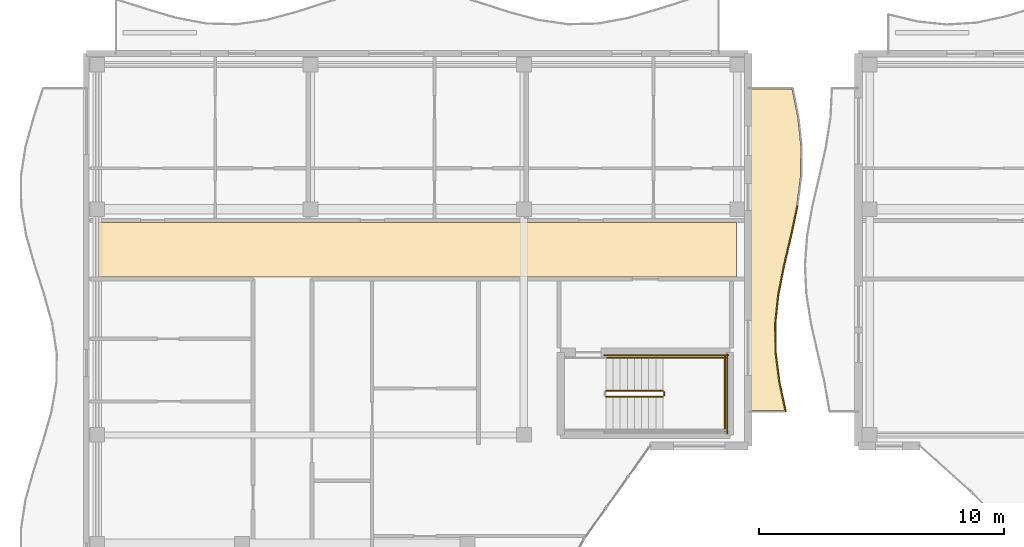
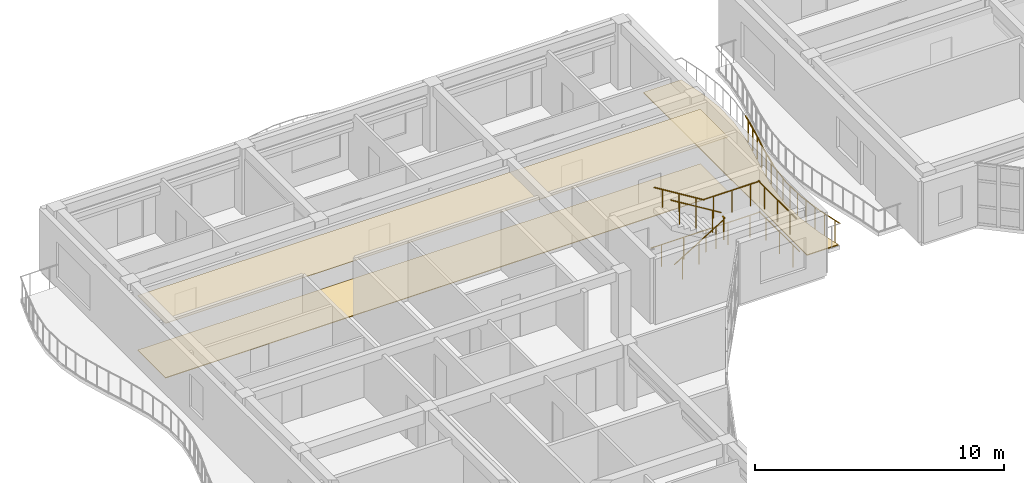
# One storey, part 55 of 72: 15 railings, 3 coverings.
"""IFC4 building model written with IfcOpenShell, lengths in metres."""

from ifc_helpers import new_model, si_unit, direction, frame, origin, origin_2d, place, context, subcontext, project, spatial, polyline, circle, outline, extrude, material, layer, layer_set, type_object, element, save


model = new_model("IFC4")

# Units and contexts
model_context = context("Model", 3, precision=1e-05, world=origin(), true_north=direction((0.0, 1.0)))
body_context = subcontext(model_context, "Body", "Model", "MODEL_VIEW")
ifc_project = project(units=[si_unit("LENGTHUNIT", "METRE"), si_unit("AREAUNIT", "SQUARE_METRE"), si_unit("VOLUMEUNIT", "CUBIC_METRE"), si_unit("PLANEANGLEUNIT", "RADIAN"), si_unit("MASSUNIT", "GRAM", prefix="KILO")], contexts=[model_context])

# Site, building, storey
site_placement = place(None, origin())
site = spatial("IfcSite", under=ifc_project, at=site_placement, CompositionType="ELEMENT")
building_placement = place(site_placement, origin())
building = spatial("IfcBuilding", under=site, at=building_placement, Name="Keldmere Railside Commons", CompositionType="ELEMENT")
storey_placement = place(building_placement, frame((0.0, 0.0, 16.9599609375)))
storey = spatial("IfcBuildingStorey", under=building, at=storey_placement, Name="L05", CompositionType="ELEMENT", Elevation=16.9599609375)

# Railings
ifc_material_1 = material(Name="Steel F-24 (S235)", Category="steel")
railing_type_1 = type_object("IfcRailingType", Name="Balcony & Terrace Steel Balustrade 1100", PredefinedType="BALUSTRADE", material=ifc_material_1)
railing_1_placement = place(storey_placement, frame((36.5361328125, 101.39990234375, 0.0)))
element("IfcRailing", 1, at=railing_1_placement, inside=storey, type_object=railing_type_1, Name="GR-1 GRD-L05-0597", PredefinedType="BALUSTRADE", context=body_context, shape_type="SweptSolid", body=[
    extrude(circle(Radius=0.02392578125, at=origin_2d()), frame((0.0, 0.0, 1.076171875), z_axis=(-0.206782744786, 0.978386884856, 0.0), x_axis=(-0.978386884856, -0.206782744786, 0.0)), (0.0, 0.0, 1.0), 1.226806640625),
    extrude(circle(Radius=0.02099609375, at=origin_2d()), frame((-0.0634765625, 0.300048828125, 0.0)), (0.0, 0.0, 1.0), 1.048095703125),
    extrude(circle(Radius=0.02099609375, at=origin_2d()), frame((-0.190185546875, 0.900146484375, 0.0)), (0.0, 0.0, 1.0), 1.048095703125),
])
railing_2_placement = place(storey_placement, frame((36.282470703125, 102.60009765625, 0.0)))
element("IfcRailing", 2, at=railing_2_placement, inside=storey, type_object=railing_type_1, Name="GR-1 GRD-L05-0598", PredefinedType="BALUSTRADE", context=body_context, shape_type="SweptSolid", body=[
    extrude(circle(Radius=0.02392578125, at=origin_2d()), frame((0.0, 0.0, 1.076171875), z_axis=(-0.128329859482, 0.991731539866, 0.0), x_axis=(-0.991731539866, -0.128329859482, 0.0)), (0.0, 0.0, 1.0), 1.2099609375),
    extrude(circle(Radius=0.02099609375, at=origin_2d()), frame((-0.038818359375, 0.300048828125, 0.0)), (0.0, 0.0, 1.0), 1.048095703125),
    extrude(circle(Radius=0.02099609375, at=origin_2d()), frame((-0.116455078125, 0.89990234375, 0.0)), (0.0, 0.0, 1.0), 1.048095703125),
])
railing_3_placement = place(storey_placement, frame((36.127197265625, 103.800048828125, 0.0)))
element("IfcRailing", 3, at=railing_3_placement, inside=storey, type_object=railing_type_1, Name="GR-1 GRD-L05-0599", PredefinedType="BALUSTRADE", context=body_context, shape_type="SweptSolid", body=[
    extrude(circle(Radius=0.02392578125, at=origin_2d()), frame((0.0, 0.0, 1.076171875), z_axis=(-0.012816851522, 0.999917860785, 0.0), x_axis=(-0.999917860785, -0.012816851522, 0.0)), (0.0, 0.0, 1.0), 1.199951171875),
    extrude(circle(Radius=0.02099609375, at=origin_2d()), frame((-0.00390625, 0.300048828125, 0.0)), (0.0, 0.0, 1.0), 1.048095703125),
    extrude(circle(Radius=0.02099609375, at=origin_2d()), frame((-0.011474609375, 0.89990234375, 0.0)), (0.0, 0.0, 1.0), 1.048095703125),
])
railing_4_placement = place(storey_placement, frame((36.11181640625, 105.0, 0.0)))
element("IfcRailing", 4, at=railing_4_placement, inside=storey, type_object=railing_type_1, Name="GR-1 GRD-L05-0600", PredefinedType="BALUSTRADE", context=body_context, shape_type="SweptSolid", body=[
    extrude(circle(Radius=0.02392578125, at=origin_2d()), frame((0.0, 0.0, 1.076171875), z_axis=(0.107011669885, 0.994257764621, 0.0), x_axis=(-0.994257764621, 0.107011669885, 0.0)), (0.0, 0.0, 1.0), 1.206787109375),
    extrude(circle(Radius=0.02099609375, at=origin_2d()), frame((0.0322265625, 0.300048828125, 0.0)), (0.0, 0.0, 1.0), 1.048095703125),
    extrude(circle(Radius=0.02099609375, at=origin_2d()), frame((0.096923828125, 0.89990234375, 0.0)), (0.0, 0.0, 1.0), 1.048095703125),
])
railing_5_placement = place(storey_placement, frame((36.240966796875, 106.199951171875, 0.0)))
element("IfcRailing", 5, at=railing_5_placement, inside=storey, type_object=railing_type_1, Name="GR-1 GRD-L05-0601", PredefinedType="BALUSTRADE", context=body_context, shape_type="SweptSolid", body=[
    extrude(circle(Radius=0.02392578125, at=origin_2d()), frame((0.0, 0.0, 1.076171875), z_axis=(0.19496472414, 0.980810255014, 0.0), x_axis=(-0.980810255014, 0.19496472414, 0.0)), (0.0, 0.0, 1.0), 1.223388671875),
    extrude(circle(Radius=0.02099609375, at=origin_2d()), frame((0.0595703125, 0.300048828125, 0.0)), (0.0, 0.0, 1.0), 1.048095703125),
    extrude(circle(Radius=0.02099609375, at=origin_2d()), frame((0.178955078125, 0.89990234375, 0.0)), (0.0, 0.0, 1.0), 1.048095703125),
])
railing_6_placement = place(storey_placement, frame((36.4794921875, 107.39990234375, 0.0)))
element("IfcRailing", 6, at=railing_6_placement, inside=storey, type_object=railing_type_1, Name="GR-1 GRD-L05-0602", PredefinedType="BALUSTRADE", context=body_context, shape_type="SweptSolid", body=[
    extrude(circle(Radius=0.02392578125, at=origin_2d()), frame((0.0, 0.0, 1.076171875), z_axis=(0.23059461799, 0.97304990733, 0.0), x_axis=(-0.97304990733, 0.23059461799, 0.0)), (0.0, 0.0, 1.0), 1.2333984375),
    extrude(circle(Radius=0.02099609375, at=origin_2d()), frame((0.071044921875, 0.300048828125, 0.0)), (0.0, 0.0, 1.0), 1.048095703125),
    extrude(circle(Radius=0.02099609375, at=origin_2d()), frame((0.21337890625, 0.900146484375, 0.0)), (0.0, 0.0, 1.0), 1.048095703125),
])
railing_7_placement = place(storey_placement, frame((36.763916015625, 108.60009765625, 0.0)))
element("IfcRailing", 7, at=railing_7_placement, inside=storey, type_object=railing_type_1, Name="GR-1 GRD-L05-0603", PredefinedType="BALUSTRADE", context=body_context, shape_type="SweptSolid", body=[
    extrude(circle(Radius=0.02392578125, at=origin_2d()), frame((0.0, 0.0, 1.076171875), z_axis=(0.206823017078, 0.978378372414, 0.0), x_axis=(-0.978378372414, 0.206823017078, 0.0)), (0.0, 0.0, 1.0), 1.2265625),
    extrude(circle(Radius=0.02099609375, at=origin_2d()), frame((0.0634765625, 0.300048828125, 0.0)), (0.0, 0.0, 1.0), 1.048095703125),
    extrude(circle(Radius=0.02099609375, at=origin_2d()), frame((0.190185546875, 0.89990234375, 0.0)), (0.0, 0.0, 1.0), 1.048095703125),
])

# Covering
ifc_material_2 = material(Name="Polished Terrazzo Tile Flooring", Category="concrete")
ifc_layer_1 = layer(ifc_material_2, 0.030029296875, Name="Polished Terrazzo Floor Finish 30")
ifc_layer_set_1 = layer_set([ifc_layer_1], Name="Polished Terrazzo Tile Flooring")
covering_type_1 = type_object("IfcCoveringType", Name="Polished Terrazzo Floor Finish 30", PredefinedType="FLOORING", material=ifc_layer_set_1)
covering_1_placement = place(storey_placement, origin())
element("IfcCovering", 8, at=covering_1_placement, inside=storey, type_object=covering_type_1, Name="FLR-1 Corridor Terrazzo D-L05", PredefinedType="FLOORING", context=body_context, shape_type="SweptSolid", body=[
    extrude(outline(polyline([(8.47998046875, 106.8798828125), (34.52001953125, 106.8798828125), (34.52001953125, 109.1201171875), (8.47998046875, 109.1201171875), (8.47998046875, 106.8798828125)])), origin(), (0.0, 0.0, 1.0), 0.030029296875),
])

# Railings
railing_type_2 = type_object("IfcRailingType", Name="Stair Well Steel Guardrail 1100", PredefinedType="BALUSTRADE", material=ifc_material_1)
railing_8_placement = place(storey_placement, frame((29.199951171875, 102.0, 0.177734375)))
element("IfcRailing", 9, at=railing_8_placement, inside=storey, type_object=railing_type_2, Name="L05 ST-D2 stair guard 1", PredefinedType="BALUSTRADE", context=body_context, shape_type="SweptSolid", body=[
    extrude(circle(Radius=0.02392578125, at=origin_2d()), frame((0.0, 0.0, 1.076171875), z_axis=(0.852538067394, 0.0, 0.522665135287), x_axis=(0.0, 1.0, 0.0)), (0.0, 0.0, 1.0), 2.721435546875),
    extrude(circle(Radius=0.02099609375, at=origin_2d()), frame((0.38671875, 0.0, 0.237060546875)), (0.0, 0.0, 1.0), 1.048095703125),
    extrude(circle(Radius=0.02099609375, at=origin_2d()), frame((1.16015625, 0.0, 0.711181640625)), (0.0, 0.0, 1.0), 1.048095703125),
    extrude(circle(Radius=0.02099609375, at=origin_2d()), frame((1.933349609375, 0.0, 1.185302734375)), (0.0, 0.0, 1.0), 1.048095703125),
])
railing_9_placement = place(storey_placement, frame((31.570068359375, 102.050048828125, 1.60009765625)))
element("IfcRailing", 10, at=railing_9_placement, inside=storey, type_object=railing_type_2, Name="L05 ST-D2 stair guard 2", PredefinedType="BALUSTRADE", context=body_context, shape_type="SweptSolid", body=[
    extrude(circle(Radius=0.02392578125, at=origin_2d()), frame((0.0, 0.0, 1.076171875), z_axis=(0.0, 1.0, 0.0), x_axis=(-1.0, 0.0, 0.0)), (0.0, 0.0, 1.0), 0.14990234375),
    extrude(circle(Radius=0.02099609375, at=origin_2d()), frame((0.0, 0.074951171875, 0.0)), (0.0, 0.0, 1.0), 1.048095703125),
])
railing_10_placement = place(storey_placement, frame((31.52001953125, 103.60009765625, 1.60009765625)))
element("IfcRailing", 11, at=railing_10_placement, inside=storey, type_object=railing_type_2, Name="L05 ST-D2 stair guard 4", PredefinedType="BALUSTRADE", context=body_context, shape_type="SweptSolid", body=[
    extrude(circle(Radius=0.02392578125, at=origin_2d()), frame((0.0, 0.0, 1.076171875), z_axis=(1.0, 0.0, 0.0), x_axis=(0.0, 1.0, 0.0)), (0.0, 0.0, 1.0), 2.580078125),
    extrude(circle(Radius=0.02099609375, at=origin_2d()), frame((0.429931640625, 0.0, 0.0)), (0.0, 0.0, 1.0), 1.048095703125),
    extrude(circle(Radius=0.02099609375, at=origin_2d()), frame((1.2900390625, 0.0, 0.0)), (0.0, 0.0, 1.0), 1.048095703125),
    extrude(circle(Radius=0.02099609375, at=origin_2d()), frame((2.150146484375, 0.0, 0.0)), (0.0, 0.0, 1.0), 1.048095703125),
])
railing_11_placement = place(storey_placement, frame((34.050048828125, 100.60009765625, 1.60009765625)))
element("IfcRailing", 12, at=railing_11_placement, inside=storey, type_object=railing_type_2, Name="L05 ST-D2 stair guard 5", PredefinedType="BALUSTRADE", context=body_context, shape_type="SweptSolid", body=[
    extrude(circle(Radius=0.02392578125, at=origin_2d()), frame((0.0, 0.0, 1.076171875), z_axis=(0.0, 1.0, 0.0), x_axis=(-1.0, 0.0, 0.0)), (0.0, 0.0, 1.0), 3.0498046875),
    extrude(circle(Radius=0.02099609375, at=origin_2d()), frame((0.0, 0.50830078125, 0.0)), (0.0, 0.0, 1.0), 1.048095703125),
    extrude(circle(Radius=0.02099609375, at=origin_2d()), frame((0.0, 1.52490234375, 0.0)), (0.0, 0.0, 1.0), 1.048095703125),
    extrude(circle(Radius=0.02099609375, at=origin_2d()), frame((0.0, 2.54150390625, 0.0)), (0.0, 0.0, 1.0), 1.048095703125),
])
railing_12_placement = place(storey_placement, frame((31.52001953125, 102.25, 1.77783203125)))
element("IfcRailing", 13, at=railing_12_placement, inside=storey, type_object=railing_type_2, Name="L05 ST-D2 stair guard 6", PredefinedType="BALUSTRADE", context=body_context, shape_type="SweptSolid", body=[
    extrude(circle(Radius=0.02392578125, at=origin_2d()), frame((0.0, 0.0, 1.076171875), z_axis=(-0.852578041948, 0.0, 0.522599925744), x_axis=(0.0, -1.0, 0.0)), (0.0, 0.0, 1.0), 2.72119140625),
    extrude(circle(Radius=0.02099609375, at=origin_2d()), frame((-0.38671875, 0.0, 0.237060546875)), (0.0, 0.0, 1.0), 1.048095703125),
    extrude(circle(Radius=0.02099609375, at=origin_2d()), frame((-1.16015625, 0.0, 0.7109375)), (0.0, 0.0, 1.0), 1.048095703125),
    extrude(circle(Radius=0.02099609375, at=origin_2d()), frame((-1.933349609375, 0.0, 1.18505859375)), (0.0, 0.0, 1.0), 1.048095703125),
])
railing_13_placement = place(storey_placement, frame((29.10009765625, 103.699951171875, 0.0)))
element("IfcRailing", 14, at=railing_13_placement, inside=storey, type_object=railing_type_2, Name="L05 ST-D2 stair guard 11", PredefinedType="BALUSTRADE", context=body_context, shape_type="SweptSolid", body=[
    extrude(circle(Radius=0.02392578125, at=origin_2d()), frame((0.0, 0.0, 1.076171875), z_axis=(1.0, 0.0, 0.0), x_axis=(0.0, 1.0, 0.0)), (0.0, 0.0, 1.0), 5.099853515625),
    extrude(circle(Radius=0.02099609375, at=origin_2d()), frame((0.510009765625, 0.0, 0.0)), (0.0, 0.0, 1.0), 1.048095703125),
    extrude(circle(Radius=0.02099609375, at=origin_2d()), frame((1.530029296875, 0.0, 0.0)), (0.0, 0.0, 1.0), 1.048095703125),
    extrude(circle(Radius=0.02099609375, at=origin_2d()), frame((2.5498046875, 0.0, 0.0)), (0.0, 0.0, 1.0), 1.048095703125),
    extrude(circle(Radius=0.02099609375, at=origin_2d()), frame((3.56982421875, 0.0, 0.0)), (0.0, 0.0, 1.0), 1.048095703125),
    extrude(circle(Radius=0.02099609375, at=origin_2d()), frame((4.58984375, 0.0, 0.0)), (0.0, 0.0, 1.0), 1.048095703125),
])
railing_14_placement = place(storey_placement, frame((34.14990234375, 100.5, 0.0)))
element("IfcRailing", 15, at=railing_14_placement, inside=storey, type_object=railing_type_2, Name="L05 ST-D2 stair guard 12", PredefinedType="BALUSTRADE", context=body_context, shape_type="SweptSolid", body=[
    extrude(circle(Radius=0.02392578125, at=origin_2d()), frame((0.0, 0.0, 1.076171875), z_axis=(0.0, 1.0, 0.0), x_axis=(-1.0, 0.0, 0.0)), (0.0, 0.0, 1.0), 3.25),
    extrude(circle(Radius=0.02099609375, at=origin_2d()), frame((0.0, 0.541748046875, 0.0)), (0.0, 0.0, 1.0), 1.048095703125),
    extrude(circle(Radius=0.02099609375, at=origin_2d()), frame((0.0, 1.625, 0.0)), (0.0, 0.0, 1.0), 1.048095703125),
    extrude(circle(Radius=0.02099609375, at=origin_2d()), frame((0.0, 2.708251953125, 0.0)), (0.0, 0.0, 1.0), 1.048095703125),
])

# Covering
ifc_material_3 = material(Name="Acoustic Mineral-Fibre Gypsum Ceiling", Category="gypsum")
ifc_layer_2 = layer(ifc_material_3, 0.02490234375, Name="Suspended Acoustic Ceiling 25")
ifc_layer_set_2 = layer_set([ifc_layer_2], Name="Acoustic Mineral-Fibre Gypsum Ceiling")
covering_type_2 = type_object("IfcCoveringType", Name="Suspended Acoustic Ceiling 25", PredefinedType="CEILING", material=ifc_layer_set_2)
covering_2_placement = place(storey_placement, frame((0.0, 0.0, 2.675048828125)))
element("IfcCovering", 16, at=covering_2_placement, inside=storey, type_object=covering_type_2, Name="CLG-1 Corridor Ceiling D-L05", PredefinedType="CEILING", context=body_context, shape_type="SweptSolid", body=[
    extrude(outline(polyline([(8.47998046875, 106.8798828125), (34.52001953125, 106.8798828125), (34.52001953125, 109.1201171875), (8.47998046875, 109.1201171875), (8.47998046875, 106.8798828125)])), origin(), (0.0, 0.0, 1.0), 0.02490234375),
])

# Railing
railing_type_3 = type_object("IfcRailingType", Name="Wall-Mounted Tubular Steel Handrail 900", PredefinedType="HANDRAIL", material=ifc_material_1)
railing_15_placement = place(storey_placement, frame((31.52001953125, 103.60009765625, 1.77783203125)))
element("IfcRailing", 17, at=railing_15_placement, inside=storey, type_object=railing_type_3, Name="L05 ST-D2 stair handrail 2", PredefinedType="HANDRAIL", context=body_context, shape_type="SweptSolid", body=[
    extrude(circle(Radius=0.02392578125, at=origin_2d()), frame((0.0, 0.0, 0.8759765625), z_axis=(-0.852578041948, 0.0, 0.522599925744), x_axis=(0.0, -1.0, 0.0)), (0.0, 0.0, 1.0), 2.72119140625),
    extrude(circle(Radius=0.02099609375, at=origin_2d()), frame((-0.38671875, 0.0, 0.237060546875)), (0.0, 0.0, 1.0), 0.847900390625),
    extrude(circle(Radius=0.02099609375, at=origin_2d()), frame((-1.16015625, 0.0, 0.7109375)), (0.0, 0.0, 1.0), 0.847900390625),
    extrude(circle(Radius=0.02099609375, at=origin_2d()), frame((-1.933349609375, 0.0, 1.18505859375)), (0.0, 0.0, 1.0), 0.847900390625),
])

# Covering
ifc_material_4 = material(Name="White Precast Concrete C35/45", Category="concrete")
ifc_layer_3 = layer(ifc_material_4, 0.044921875, Name="White Architectural Balcony Ribbon Cladding 45")
ifc_layer_set_3 = layer_set([ifc_layer_3], Name="White Precast Concrete C35/45")
covering_type_3 = type_object("IfcCoveringType", Name="White Architectural Balcony Ribbon Cladding 45", PredefinedType="FLOORING", material=ifc_layer_set_3)
covering_3_placement = place(storey_placement, origin())
element("IfcCovering", 18, at=covering_3_placement, inside=storey, type_object=covering_type_3, Name="CLG-WB D L05 WE White Balcony Ribbon", PredefinedType="FLOORING", context=body_context, shape_type="SweptSolid", body=[
    extrude(outline(polyline([(36.243408203125, 102.591796875), (36.24267578125, 102.594970703125), (36.08740234375, 103.794921875), (36.087158203125, 103.799560546875), (36.072021484375, 104.99951171875), (36.072021484375, 105.00439453125), (36.201171875, 106.204345703125), (36.20166015625, 106.207763671875), (36.440185546875, 107.40771484375), (36.440673828125, 107.4091796875), (36.724853515625, 108.60888671875), (36.97802734375, 109.806640625), (37.1328125, 111.002685546875), (37.148193359375, 112.197998046875), (37.01953125, 113.393798828125), (36.78759765625, 114.56005859375), (35.0400390625, 114.56005859375), (35.0400390625, 101.43994140625), (36.48681640625, 101.43994140625), (36.243408203125, 102.591796875)])), origin(), (0.0, 0.0, 1.0), 0.044921875),
])

save(model, "model.ifc")
